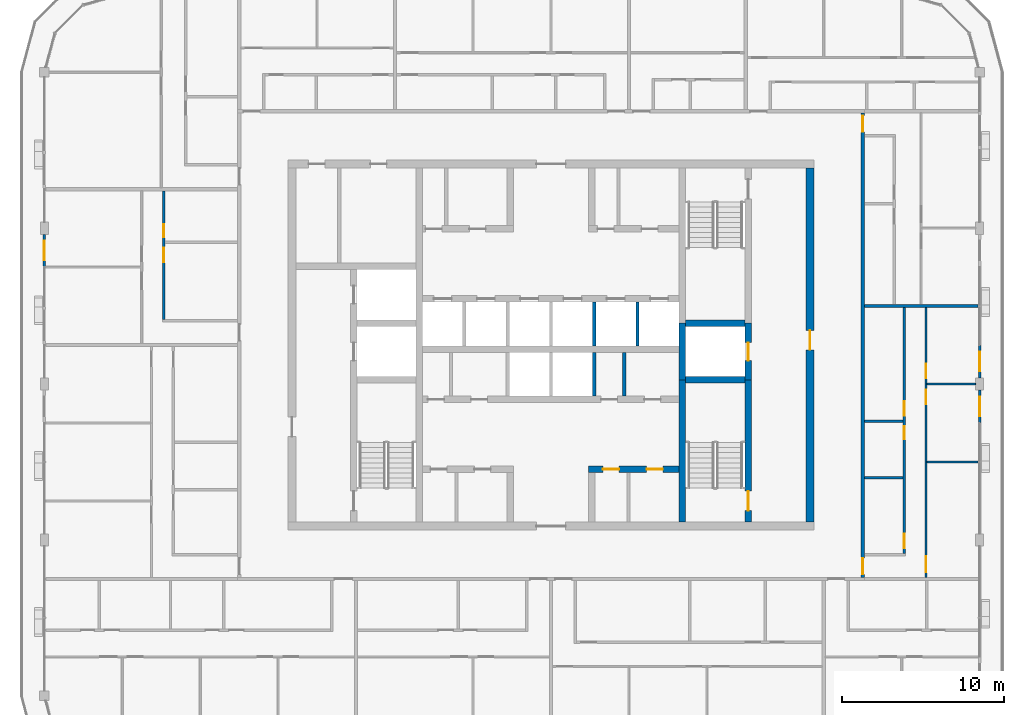
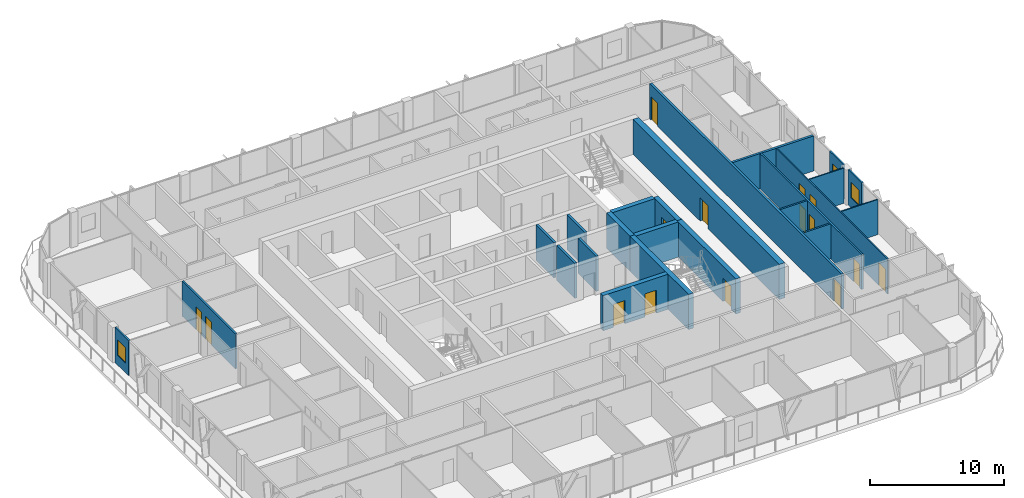
# One storey, part 12 of 21: 24 walls, 15 doors, 3 windows, 18 openings.
"""IFC4 building model written with IfcOpenShell, lengths in metres."""

from ifc_helpers import new_model, si_unit, direction, frame, frame_2d, origin, place, context, subcontext, project, spatial, rectangle, extrude, material, layer, layer_set, type_object, element, fill, save


model = new_model("IFC4")

# Units and contexts
model_context = context("Model", 3, precision=1e-05, world=origin(), true_north=direction((0.0, 1.0)))
body_context = subcontext(model_context, "Body", "Model", "MODEL_VIEW")
ifc_project = project(units=[si_unit("LENGTHUNIT", "METRE"), si_unit("AREAUNIT", "SQUARE_METRE"), si_unit("VOLUMEUNIT", "CUBIC_METRE"), si_unit("PLANEANGLEUNIT", "RADIAN"), si_unit("MASSUNIT", "GRAM", prefix="KILO")], contexts=[model_context])

# Site, building, storey
site_placement = place(None, origin())
site = spatial("IfcSite", under=ifc_project, at=site_placement, CompositionType="ELEMENT")
building_placement = place(site_placement, origin())
building = spatial("IfcBuilding", under=site, at=building_placement, Name="Madar Terraces", CompositionType="ELEMENT")
storey_placement = place(building_placement, frame((0.0, 0.0, 268.60009765625)))
storey = spatial("IfcBuildingStorey", under=building, at=storey_placement, Name="L70", CompositionType="ELEMENT", Elevation=268.60009765625)

# Walls
ifc_material_1 = material(Name="Concrete C50/60", Category="concrete")
ifc_layer_1 = layer(ifc_material_1, 0.39990234375)
ifc_layer_set_1 = layer_set([ifc_layer_1], Name="Concrete C50/60 (CIW6 RC wall 400)")
wall_type_1 = type_object("IfcWallType", Name="CIW6 RC wall 400", PredefinedType="SHEAR", material=ifc_layer_set_1)
wall_1_placement = place(storey_placement, frame((39.300048828125, 15.5, 0.0), z_axis=(0.0, 0.0, 1.0), x_axis=(0.0, 1.0, 0.0)))
element("IfcWall", 1, at=wall_1_placement, inside=storey, type_object=wall_type_1, Name="CORE SHAFT WALL", PredefinedType="SHEAR", context=body_context, shape_type="SweptSolid", body=[
    extrude(rectangle(XDim=8.75, YDim=0.39990234375, at=frame_2d((4.375, 0.0))), origin(), (0.0, 0.0, 1.0), 3.199951171875),
])
wall_2_placement = place(storey_placement, frame((39.300048828125, 24.25, 0.0), z_axis=(0.0, 0.0, 1.0), x_axis=(0.0, 1.0, 0.0)))
element("IfcWall", 2, at=wall_2_placement, inside=storey, type_object=wall_type_1, Name="CORE SHAFT WALL", PredefinedType="SHEAR", context=body_context, shape_type="SweptSolid", body=[
    extrude(rectangle(XDim=3.5, YDim=0.39990234375, at=frame_2d((1.75, 0.0))), origin(), (0.0, 0.0, 1.0), 3.199951171875),
])

# Wall, opening, door
wall_3_placement = place(storey_placement, frame((43.35009765625, 15.5, 0.0), z_axis=(0.0, 0.0, 1.0), x_axis=(0.0, 1.0, 0.0)))
wall_3 = element("IfcWall", 3, at=wall_3_placement, inside=storey, type_object=wall_type_1, Name="CORE SHAFT WALL", PredefinedType="SHEAR", context=body_context, shape_type="SweptSolid", body=[
    extrude(rectangle(XDim=8.75, YDim=0.39990234375, at=frame_2d((4.375, 0.0))), origin(), (0.0, 0.0, 1.0), 3.199951171875),
])
opening_1_placement = place(wall_3_placement, frame((0.699951171875, 0.0, 0.0)))
opening_1 = element("IfcOpeningElement", 4, at=opening_1_placement, cuts=wall_3, Name="Opening SD1", PredefinedType="OPENING", context=body_context, shape_type="SweptSolid", body=[
    extrude(rectangle(XDim=1.199951171875, YDim=2.10009765625, at=frame_2d((0.60009765625, 1.050048828125))), frame((0.0, 0.2099609375, 0.0), z_axis=(0.0, -1.0, 0.0), x_axis=(1.0, 0.0, 0.0)), (0.0, 0.0, 1.0), 0.419921875),
])
ifc_material_2 = material(Name="Steel door leaf", Category="steel")
door_type_1 = type_object("IfcDoorType", Name="Stair door 1200 x 2100", OperationType="NOTDEFINED", PredefinedType="DOOR", material=ifc_material_2)
door_1_placement = place(opening_1_placement, origin())
door_1 = element("IfcDoor", 5, at=door_1_placement, inside=storey, type_object=door_type_1, Name="STAIR DOOR", OperationType="SINGLE_SWING_LEFT", OverallHeight=2.10009765625, OverallWidth=1.199951171875, PredefinedType="DOOR", context=body_context, shape_type="SweptSolid", body=[
    extrude(rectangle(XDim=1.199951171875, YDim=2.10009765625, at=frame_2d((0.60009765625, 1.050048828125))), frame((0.0, 0.02490234375, 0.0), z_axis=(0.0, -1.0, 0.0), x_axis=(1.0, 0.0, 0.0)), (0.0, 0.0, 1.0), 0.050048828125),
])
fill(opening_1, door_1)

wall_4_placement = place(storey_placement, frame((43.35009765625, 24.25, 0.0), z_axis=(0.0, 0.0, 1.0), x_axis=(0.0, 1.0, 0.0)))
wall_4 = element("IfcWall", 6, at=wall_4_placement, inside=storey, type_object=wall_type_1, Name="CORE SHAFT WALL", PredefinedType="SHEAR", context=body_context, shape_type="SweptSolid", body=[
    extrude(rectangle(XDim=3.5, YDim=0.39990234375, at=frame_2d((1.75, 0.0))), origin(), (0.0, 0.0, 1.0), 3.199951171875),
])
opening_2_placement = place(wall_4_placement, frame((1.199951171875, 0.0, 0.0)))
opening_2 = element("IfcOpeningElement", 7, at=opening_2_placement, cuts=wall_4, Name="Opening LD", PredefinedType="OPENING", context=body_context, shape_type="SweptSolid", body=[
    extrude(rectangle(XDim=1.10009765625, YDim=2.10009765625, at=frame_2d((0.550048828125, 1.050048828125))), frame((0.0, 0.2099609375, 0.0), z_axis=(0.0, -1.0, 0.0), x_axis=(1.0, 0.0, 0.0)), (0.0, 0.0, 1.0), 0.419921875),
])
ifc_material_3 = material(Name="Stainless steel panel", Category="steel")
door_type_2 = type_object("IfcDoorType", Name="Lift landing door 1100 x 2100", OperationType="DOUBLE_DOOR_SLIDING", PredefinedType="DOOR", material=ifc_material_3)
door_2_placement = place(opening_2_placement, origin())
door_2 = element("IfcDoor", 8, at=door_2_placement, inside=storey, type_object=door_type_2, Name="LIFT LANDING DOOR", OperationType="DOUBLE_DOOR_SLIDING", OverallHeight=2.10009765625, OverallWidth=1.10009765625, PredefinedType="DOOR", context=body_context, shape_type="SweptSolid", body=[
    extrude(rectangle(XDim=1.10009765625, YDim=2.10009765625, at=frame_2d((0.550048828125, 1.050048828125))), frame((0.0, 0.02490234375, 0.0), z_axis=(0.0, -1.0, 0.0), x_axis=(1.0, 0.0, 0.0)), (0.0, 0.0, 1.0), 0.050048828125),
])
fill(opening_2, door_2)

# Walls
for number, where, z_axis, x_axis, name in (
    (9, (39.5, 24.25, 0.0), (0.0, 0.0, 1.0), (1.0, 0.0, 0.0), "CORE SHAFT WALL"),
    (10, (39.5, 27.75, 0.0), (0.0, 0.0, 1.0), (1.0, 0.0, 0.0), "CORE SHAFT WALL"),
):
    element("IfcWall", number, at=place(storey_placement, frame(where, z_axis=z_axis, x_axis=x_axis)), inside=storey, type_object=wall_type_1, Name=name, PredefinedType="SHEAR", context=body_context, shape_type="SweptSolid", body=[
        extrude(rectangle(XDim=3.64990234375, YDim=0.39990234375, at=frame_2d((1.824951171875, 0.0))), origin(), (0.0, 0.0, 1.0), 3.199951171875),
    ])

# Wall, openings, doors
wall_5_placement = place(storey_placement, frame((33.5, 18.75, 0.0), z_axis=(0.0, 0.0, 1.0), x_axis=(1.0, 0.0, 0.0)))
wall_5 = element("IfcWall", 11, at=wall_5_placement, inside=storey, type_object=wall_type_1, Name="CORE SHAFT WALL", PredefinedType="SHEAR", context=body_context, shape_type="SweptSolid", body=[
    extrude(rectangle(XDim=5.60009765625, YDim=0.39990234375, at=frame_2d((2.800048828125, 0.0))), origin(), (0.0, 0.0, 1.0), 3.199951171875),
])
opening_3_placement = place(wall_5_placement, frame((0.889892578125, 0.0, 0.0)))
opening_3 = element("IfcOpeningElement", 12, at=opening_3_placement, cuts=wall_5, Name="Opening KD2", PredefinedType="OPENING", context=body_context, shape_type="SweptSolid", body=[
    extrude(rectangle(XDim=1.0, YDim=2.10009765625, at=frame_2d((0.5, 1.050048828125))), frame((0.0, 0.2099609375, 0.0), z_axis=(0.0, -1.0, 0.0), x_axis=(1.0, 0.0, 0.0)), (0.0, 0.0, 1.0), 0.419921875),
])
opening_4_placement = place(wall_5_placement, frame((3.590087890625, 0.0, 0.0)))
opening_4 = element("IfcOpeningElement", 13, at=opening_4_placement, cuts=wall_5, Name="Opening KD2", PredefinedType="OPENING", context=body_context, shape_type="SweptSolid", body=[
    extrude(rectangle(XDim=1.0, YDim=2.10009765625, at=frame_2d((0.5, 1.050048828125))), frame((0.0, 0.2099609375, 0.0), z_axis=(0.0, -1.0, 0.0), x_axis=(1.0, 0.0, 0.0)), (0.0, 0.0, 1.0), 0.419921875),
])
ifc_material_4 = material(Name="Steel door leaf", Category="steel")
door_type_3 = type_object("IfcDoorType", Name="Service room door 1000 x 2100", OperationType="NOTDEFINED", PredefinedType="DOOR", material=ifc_material_4)
door_3_placement = place(opening_3_placement, origin())
door_3 = element("IfcDoor", 14, at=door_3_placement, inside=storey, type_object=door_type_3, Name="SERVICE ROOM DOOR", OperationType="SINGLE_SWING_LEFT", OverallHeight=2.10009765625, OverallWidth=1.0, PredefinedType="DOOR", context=body_context, shape_type="SweptSolid", body=[
    extrude(rectangle(XDim=1.0, YDim=2.10009765625, at=frame_2d((0.5, 1.050048828125))), frame((0.0, 0.02490234375, 0.0), z_axis=(0.0, -1.0, 0.0), x_axis=(1.0, 0.0, 0.0)), (0.0, 0.0, 1.0), 0.050048828125),
])
fill(opening_3, door_3)
door_4_placement = place(opening_4_placement, origin())
door_4 = element("IfcDoor", 15, at=door_4_placement, inside=storey, type_object=door_type_3, Name="SERVICE ROOM DOOR", OperationType="SINGLE_SWING_RIGHT", OverallHeight=2.10009765625, OverallWidth=1.0, PredefinedType="DOOR", context=body_context, shape_type="SweptSolid", body=[
    extrude(rectangle(XDim=1.0, YDim=2.10009765625, at=frame_2d((0.5, 1.050048828125))), frame((0.0, 0.02490234375, 0.0), z_axis=(0.0, -1.0, 0.0), x_axis=(1.0, 0.0, 0.0)), (0.0, 0.0, 1.0), 0.050048828125),
])
fill(opening_4, door_4)

# Wall, opening, door
ifc_material_5 = material(Name="Concrete C50/60", Category="concrete")
ifc_layer_2 = layer(ifc_material_5, 0.5)
ifc_layer_set_2 = layer_set([ifc_layer_2], Name="Concrete C50/60 (CRW6 RC wall 500)")
wall_type_2 = type_object("IfcWallType", Name="CRW6 RC wall 500", PredefinedType="SHEAR", material=ifc_layer_set_2)
wall_6_placement = place(storey_placement, frame((47.14990234375, 15.5, 0.0), z_axis=(0.0, 0.0, 1.0), x_axis=(0.0, 1.0, 0.0)))
wall_6 = element("IfcWall", 16, at=wall_6_placement, inside=storey, type_object=wall_type_2, Name="CORE OUTER WALL", PredefinedType="SHEAR", context=body_context, shape_type="SweptSolid", body=[
    extrude(rectangle(XDim=21.800048828125, YDim=0.5, at=frame_2d((10.89990234375, 0.0))), origin(), (0.0, 0.0, 1.0), 3.199951171875),
])
opening_5_placement = place(wall_6_placement, frame((10.60009765625, 0.0, 0.0)))
opening_5 = element("IfcOpeningElement", 17, at=opening_5_placement, cuts=wall_6, Name="Opening SD1", PredefinedType="OPENING", context=body_context, shape_type="SweptSolid", body=[
    extrude(rectangle(XDim=1.199951171875, YDim=2.10009765625, at=frame_2d((0.60009765625, 1.050048828125))), frame((0.0, 0.260009765625, 0.0), z_axis=(0.0, -1.0, 0.0), x_axis=(1.0, 0.0, 0.0)), (0.0, 0.0, 1.0), 0.52001953125),
])
door_5_placement = place(opening_5_placement, origin())
door_5 = element("IfcDoor", 18, at=door_5_placement, inside=storey, type_object=door_type_1, Name="STAIR DOOR", OperationType="SINGLE_SWING_RIGHT", OverallHeight=2.10009765625, OverallWidth=1.199951171875, PredefinedType="DOOR", context=body_context, shape_type="SweptSolid", body=[
    extrude(rectangle(XDim=1.199951171875, YDim=2.10009765625, at=frame_2d((0.60009765625, 1.050048828125))), frame((0.0, 0.02490234375, 0.0), z_axis=(0.0, -1.0, 0.0), x_axis=(1.0, 0.0, 0.0)), (0.0, 0.0, 1.0), 0.050048828125),
])
fill(opening_5, door_5)

# Walls
ifc_material_6 = material(Name="Masonry blockwork", Category="masonry")
ifc_layer_3 = layer(ifc_material_6, 0.199951171875)
ifc_layer_set_3 = layer_set([ifc_layer_3], Name="Core partition 200 blockwork")
wall_type_3 = type_object("IfcWallType", Name="Core partition 200 blockwork", PredefinedType="PARTITIONING", material=ifc_layer_set_3)
wall_7_placement = place(storey_placement, frame((35.7119140625, 23.25, 0.0), z_axis=(0.0, 0.0, 1.0), x_axis=(0.0, 1.0, 0.0)))
element("IfcWall", 19, at=wall_7_placement, inside=storey, type_object=wall_type_3, Name="SERVICE ROOM PARTITION", PredefinedType="PARTITIONING", context=body_context, shape_type="SweptSolid", body=[
    extrude(rectangle(XDim=2.699951171875, YDim=0.199951171875, at=frame_2d((1.35009765625, 0.0))), origin(), (0.0, 0.0, 1.0), 3.199951171875),
])
ifc_material_7 = material(Name="Concrete C40/50", Category="concrete")
ifc_layer_4 = layer(ifc_material_7, 0.199951171875)
ifc_layer_set_4 = layer_set([ifc_layer_4], Name="Core shaft dividing wall 200 C40/50")
wall_type_4 = type_object("IfcWallType", Name="Core shaft dividing wall 200 C40/50", PredefinedType="SOLIDWALL", material=ifc_layer_set_4)
for number, where, z_axis, x_axis, name in (
    (20, (33.86669921875, 23.25, 0.0), (0.0, 0.0, 1.0), (0.0, 1.0, 0.0), "SHAFT DIVIDING WALL"),
    (21, (33.86669921875, 26.35009765625, 0.0), (0.0, 0.0, 1.0), (0.0, 1.0, 0.0), "SHAFT DIVIDING WALL"),
    (22, (36.533447265625, 26.35009765625, 0.0), (0.0, 0.0, 1.0), (0.0, 1.0, 0.0), "SHAFT DIVIDING WALL"),
):
    element("IfcWall", number, at=place(storey_placement, frame(where, z_axis=z_axis, x_axis=x_axis)), inside=storey, type_object=wall_type_4, Name=name, PredefinedType="SOLIDWALL", context=body_context, shape_type="SweptSolid", body=[
        extrude(rectangle(XDim=2.699951171875, YDim=0.199951171875, at=frame_2d((1.35009765625, 0.0))), origin(), (0.0, 0.0, 1.0), 3.199951171875),
    ])

# Wall, opening, window
ifc_material_8 = material(Name="Aluminium composite panel, black, over insulated backing", Category="aluminium")
ifc_layer_5 = layer(ifc_material_8, 0.14990234375)
ifc_layer_set_5 = layer_set([ifc_layer_5], Name="Facade bay panel 150")
wall_type_5 = type_object("IfcWallType", Name="Facade bay panel 150", PredefinedType="SOLIDWALL", material=ifc_layer_set_5)
wall_8_placement = place(storey_placement, frame((57.60009765625, 21.60009765625, 0.0), z_axis=(0.0, 0.0, 1.0), x_axis=(0.0, 1.0, 0.0)))
wall_8 = element("IfcWall", 23, at=wall_8_placement, inside=storey, type_object=wall_type_5, Name="Facade bay panel", PredefinedType="SOLIDWALL", context=body_context, shape_type="SweptSolid", body=[
    extrude(rectangle(XDim=2.02490234375, YDim=0.14990234375, at=frame_2d((1.012451171875, 0.0))), origin(), (0.0, 0.0, 1.0), 3.199951171875),
])
opening_6_placement = place(wall_8_placement, frame((0.41259765625, 0.0, 0.89990234375)))
opening_6 = element("IfcOpeningElement", 24, at=opening_6_placement, cuts=wall_8, Name="Opening W1", PredefinedType="OPENING", context=body_context, shape_type="SweptSolid", body=[
    extrude(rectangle(XDim=1.199951171875, YDim=1.39990234375, at=frame_2d((0.60009765625, 0.699951171875))), frame((0.0, 0.0849609375, 0.0), z_axis=(0.0, -1.0, 0.0), x_axis=(1.0, 0.0, 0.0)), (0.0, 0.0, 1.0), 0.169921875),
])
ifc_material_9 = material(Name="Glass, clear, with black aluminium frame", Category="aluminium")
window_type = type_object("IfcWindowType", Name="Vent window 1200 x 1400", PartitioningType="SINGLE_PANEL", PredefinedType="WINDOW", material=ifc_material_9)
window_1_placement = place(opening_6_placement, origin())
window_1 = element("IfcWindow", 25, at=window_1_placement, inside=storey, type_object=window_type, Name="Operable vent window", OverallHeight=1.39990234375, OverallWidth=1.199951171875, PartitioningType="SINGLE_PANEL", PredefinedType="WINDOW", context=body_context, shape_type="SweptSolid", body=[
    extrude(rectangle(XDim=1.199951171875, YDim=1.39990234375, at=frame_2d((0.60009765625, 0.699951171875))), frame((0.0, 0.030029296875, 0.0), z_axis=(0.0, -1.0, 0.0), x_axis=(1.0, 0.0, 0.0)), (0.0, 0.0, 1.0), 0.06005859375),
])
fill(opening_6, window_1)

wall_9_placement = place(storey_placement, frame((57.60009765625, 24.375, 0.0), z_axis=(0.0, 0.0, 1.0), x_axis=(0.0, 1.0, 0.0)))
wall_9 = element("IfcWall", 26, at=wall_9_placement, inside=storey, type_object=wall_type_5, Name="Facade bay panel", PredefinedType="SOLIDWALL", context=body_context, shape_type="SweptSolid", body=[
    extrude(rectangle(XDim=2.02490234375, YDim=0.14990234375, at=frame_2d((1.012451171875, 0.0))), origin(), (0.0, 0.0, 1.0), 3.199951171875),
])
opening_7_placement = place(wall_9_placement, frame((0.41259765625, 0.0, 0.89990234375)))
opening_7 = element("IfcOpeningElement", 27, at=opening_7_placement, cuts=wall_9, Name="Opening W1", PredefinedType="OPENING", context=body_context, shape_type="SweptSolid", body=[
    extrude(rectangle(XDim=1.199951171875, YDim=1.39990234375, at=frame_2d((0.60009765625, 0.699951171875))), frame((0.0, 0.0849609375, 0.0), z_axis=(0.0, -1.0, 0.0), x_axis=(1.0, 0.0, 0.0)), (0.0, 0.0, 1.0), 0.169921875),
])
window_2_placement = place(opening_7_placement, origin())
window_2 = element("IfcWindow", 28, at=window_2_placement, inside=storey, type_object=window_type, Name="Operable vent window", OverallHeight=1.39990234375, OverallWidth=1.199951171875, PartitioningType="SINGLE_PANEL", PredefinedType="WINDOW", context=body_context, shape_type="SweptSolid", body=[
    extrude(rectangle(XDim=1.199951171875, YDim=1.39990234375, at=frame_2d((0.60009765625, 0.699951171875))), frame((0.0, 0.030029296875, 0.0), z_axis=(0.0, -1.0, 0.0), x_axis=(1.0, 0.0, 0.0)), (0.0, 0.0, 1.0), 0.06005859375),
])
fill(opening_7, window_2)

wall_10_placement = place(storey_placement, frame((0.0, 33.22509765625, 0.0), z_axis=(0.0, 0.0, 1.0), x_axis=(0.0, -1.0, 0.0)))
wall_10 = element("IfcWall", 29, at=wall_10_placement, inside=storey, type_object=wall_type_5, Name="Facade bay panel", PredefinedType="SOLIDWALL", context=body_context, shape_type="SweptSolid", body=[
    extrude(rectangle(XDim=2.025146484375, YDim=0.14990234375, at=frame_2d((1.0126953125, 0.0))), origin(), (0.0, 0.0, 1.0), 3.199951171875),
])
opening_8_placement = place(wall_10_placement, frame((0.41259765625, 0.0, 0.89990234375)))
opening_8 = element("IfcOpeningElement", 30, at=opening_8_placement, cuts=wall_10, Name="Opening W1", PredefinedType="OPENING", context=body_context, shape_type="SweptSolid", body=[
    extrude(rectangle(XDim=1.199951171875, YDim=1.39990234375, at=frame_2d((0.60009765625, 0.699951171875))), frame((0.0, 0.0849609375, 0.0), z_axis=(0.0, -1.0, 0.0), x_axis=(1.0, 0.0, 0.0)), (0.0, 0.0, 1.0), 0.169921875),
])
window_3_placement = place(opening_8_placement, origin())
window_3 = element("IfcWindow", 31, at=window_3_placement, inside=storey, type_object=window_type, Name="Operable vent window", OverallHeight=1.39990234375, OverallWidth=1.199951171875, PartitioningType="SINGLE_PANEL", PredefinedType="WINDOW", context=body_context, shape_type="SweptSolid", body=[
    extrude(rectangle(XDim=1.199951171875, YDim=1.39990234375, at=frame_2d((0.60009765625, 0.699951171875))), frame((0.0, 0.030029296875, 0.0), z_axis=(0.0, -1.0, 0.0), x_axis=(1.0, 0.0, 0.0)), (0.0, 0.0, 1.0), 0.06005859375),
])
fill(opening_8, window_3)

# Walls
ifc_material_10 = material(Name="Gypsum board on steel studs", Category="steel")
ifc_layer_6 = layer(ifc_material_10, 0.10009765625)
ifc_layer_set_6 = layer_set([ifc_layer_6], Name="Flat partition 100")
wall_type_6 = type_object("IfcWallType", Name="Flat partition 100", PredefinedType="PARTITIONING", material=ifc_layer_set_6)
wall_11_placement = place(storey_placement, frame((54.35009765625, 19.199951171875, 0.0), z_axis=(0.0, 0.0, 1.0), x_axis=(1.0, 0.0, 0.0)))
element("IfcWall", 32, at=wall_11_placement, inside=storey, type_object=wall_type_6, Name="Flat partition 100", PredefinedType="PARTITIONING", context=body_context, shape_type="SweptSolid", body=[
    extrude(rectangle(XDim=3.14990234375, YDim=0.10009765625, at=frame_2d((1.574951171875, 0.0))), origin(), (0.0, 0.0, 1.0), 3.199951171875),
])
wall_12_placement = place(storey_placement, frame((54.35009765625, 24.0, 0.0), z_axis=(0.0, 0.0, 1.0), x_axis=(1.0, 0.0, 0.0)))
element("IfcWall", 33, at=wall_12_placement, inside=storey, type_object=wall_type_6, Name="Flat partition 100", PredefinedType="PARTITIONING", context=body_context, shape_type="SweptSolid", body=[
    extrude(rectangle(XDim=3.0, YDim=0.10009765625, at=frame_2d((1.5, 0.0))), origin(), (0.0, 0.0, 1.0), 3.199951171875),
])

# Wall, openings, doors
wall_13_placement = place(storey_placement, frame((54.300048828125, 28.699951171875, 0.0), z_axis=(0.0, 0.0, 1.0), x_axis=(0.0, -1.0, 0.0)))
wall_13 = element("IfcWall", 34, at=wall_13_placement, inside=storey, type_object=wall_type_6, Name="Flat partition 100", PredefinedType="PARTITIONING", context=body_context, shape_type="SweptSolid", body=[
    extrude(rectangle(XDim=16.599853515625, YDim=0.10009765625, at=frame_2d((8.2998046875, 0.0))), origin(), (0.0, 0.0, 1.0), 3.199951171875),
])
opening_9_placement = place(wall_13_placement, frame((15.300048828125, 0.0, 0.0)))
opening_9 = element("IfcOpeningElement", 35, at=opening_9_placement, cuts=wall_13, Name="Opening D3", PredefinedType="OPENING", context=body_context, shape_type="SweptSolid", body=[
    extrude(rectangle(XDim=1.0, YDim=2.10009765625, at=frame_2d((0.5, 1.050048828125))), frame((0.0, 0.06005859375, 0.0), z_axis=(0.0, -1.0, 0.0), x_axis=(1.0, 0.0, 0.0)), (0.0, 0.0, 1.0), 0.1201171875),
])
opening_10_placement = place(wall_13_placement, frame((5.050048828125, 0.0, 0.0)))
opening_10 = element("IfcOpeningElement", 36, at=opening_10_placement, cuts=wall_13, Name="Opening D2", PredefinedType="OPENING", context=body_context, shape_type="SweptSolid", body=[
    extrude(rectangle(XDim=0.89990234375, YDim=2.10009765625, at=frame_2d((0.449951171875, 1.050048828125))), frame((0.0, 0.06005859375, 0.0), z_axis=(0.0, -1.0, 0.0), x_axis=(1.0, 0.0, 0.0)), (0.0, 0.0, 1.0), 0.1201171875),
])
opening_11_placement = place(wall_13_placement, frame((3.449951171875, 0.0, 0.0)))
opening_11 = element("IfcOpeningElement", 37, at=opening_11_placement, cuts=wall_13, Name="Opening D2", PredefinedType="OPENING", context=body_context, shape_type="SweptSolid", body=[
    extrude(rectangle(XDim=0.89990234375, YDim=2.10009765625, at=frame_2d((0.449951171875, 1.050048828125))), frame((0.0, 0.06005859375, 0.0), z_axis=(0.0, -1.0, 0.0), x_axis=(1.0, 0.0, 0.0)), (0.0, 0.0, 1.0), 0.1201171875),
])
ifc_material_11 = material(Name="Timber door leaf", Category="wood")
door_type_4 = type_object("IfcDoorType", Name="Flat living room door 1000", OperationType="NOTDEFINED", PredefinedType="DOOR", material=ifc_material_11)
door_6_placement = place(opening_9_placement, origin())
door_6 = element("IfcDoor", 38, at=door_6_placement, inside=storey, type_object=door_type_4, Name="Flat living room door 1000", OperationType="SINGLE_SWING_RIGHT", OverallHeight=2.10009765625, OverallWidth=1.0, PredefinedType="DOOR", context=body_context, shape_type="SweptSolid", body=[
    extrude(rectangle(XDim=1.0, YDim=2.10009765625, at=frame_2d((0.5, 1.050048828125))), frame((0.0, 0.02490234375, 0.0), z_axis=(0.0, -1.0, 0.0), x_axis=(1.0, 0.0, 0.0)), (0.0, 0.0, 1.0), 0.050048828125),
])
fill(opening_9, door_6)
ifc_material_12 = material(Name="Timber door leaf", Category="wood")
door_type_5 = type_object("IfcDoorType", Name="Flat room door 900", OperationType="NOTDEFINED", PredefinedType="DOOR", material=ifc_material_12)
door_7_placement = place(opening_10_placement, origin())
door_7 = element("IfcDoor", 39, at=door_7_placement, inside=storey, type_object=door_type_5, Name="Flat room door 900", OperationType="SINGLE_SWING_LEFT", OverallHeight=2.10009765625, OverallWidth=0.89990234375, PredefinedType="DOOR", context=body_context, shape_type="SweptSolid", body=[
    extrude(rectangle(XDim=0.89990234375, YDim=2.10009765625, at=frame_2d((0.449951171875, 1.050048828125))), frame((0.0, 0.02490234375, 0.0), z_axis=(0.0, -1.0, 0.0), x_axis=(1.0, 0.0, 0.0)), (0.0, 0.0, 1.0), 0.050048828125),
])
fill(opening_10, door_7)
door_8_placement = place(opening_11_placement, origin())
door_8 = element("IfcDoor", 40, at=door_8_placement, inside=storey, type_object=door_type_5, Name="Flat room door 900", OperationType="SINGLE_SWING_RIGHT", OverallHeight=2.10009765625, OverallWidth=0.89990234375, PredefinedType="DOOR", context=body_context, shape_type="SweptSolid", body=[
    extrude(rectangle(XDim=0.89990234375, YDim=2.10009765625, at=frame_2d((0.449951171875, 1.050048828125))), frame((0.0, 0.02490234375, 0.0), z_axis=(0.0, -1.0, 0.0), x_axis=(1.0, 0.0, 0.0)), (0.0, 0.0, 1.0), 0.050048828125),
])
fill(opening_11, door_8)

ifc_material_13 = material(Name="Lightweight blockwork", Category="masonry")
ifc_layer_7 = layer(ifc_material_13, 0.199951171875)
ifc_layer_set_7 = layer_set([ifc_layer_7], Name="Flat party and entrance wall 200")
wall_type_7 = type_object("IfcWallType", Name="Flat party and entrance wall 200", PredefinedType="PARTITIONING", material=ifc_layer_set_7)
wall_14_placement = place(storey_placement, frame((50.39990234375, 40.699951171875, 0.0), z_axis=(0.0, 0.0, 1.0), x_axis=(0.0, -1.0, 0.0)))
wall_14 = element("IfcWall", 41, at=wall_14_placement, inside=storey, type_object=wall_type_7, Name="Flat party and entrance wall 200", PredefinedType="PARTITIONING", context=body_context, shape_type="SweptSolid", body=[
    extrude(rectangle(XDim=28.599853515625, YDim=0.199951171875, at=frame_2d((14.2998046875, 0.0))), origin(), (0.0, 0.0, 1.0), 3.199951171875),
])
opening_12_placement = place(wall_14_placement, frame((27.425048828125, 0.0, 0.0)))
opening_12 = element("IfcOpeningElement", 42, at=opening_12_placement, cuts=wall_14, Name="Opening D1", PredefinedType="OPENING", context=body_context, shape_type="SweptSolid", body=[
    extrude(rectangle(XDim=1.0, YDim=2.10009765625, at=frame_2d((0.5, 1.050048828125))), frame((0.0, 0.10986328125, 0.0), z_axis=(0.0, -1.0, 0.0), x_axis=(1.0, 0.0, 0.0)), (0.0, 0.0, 1.0), 0.219970703125),
])
opening_13_placement = place(wall_14_placement, frame((0.175048828125, 0.0, 0.0)))
opening_13 = element("IfcOpeningElement", 43, at=opening_13_placement, cuts=wall_14, Name="Opening D1", PredefinedType="OPENING", context=body_context, shape_type="SweptSolid", body=[
    extrude(rectangle(XDim=1.0, YDim=2.10009765625, at=frame_2d((0.5, 1.050048828125))), frame((0.0, 0.10986328125, 0.0), z_axis=(0.0, -1.0, 0.0), x_axis=(1.0, 0.0, 0.0)), (0.0, 0.0, 1.0), 0.219970703125),
])
ifc_material_14 = material(Name="Timber fire door leaf", Category="wood")
door_type_6 = type_object("IfcDoorType", Name="Flat entrance door 1000 FD30S", OperationType="NOTDEFINED", PredefinedType="DOOR", material=ifc_material_14)
door_9_placement = place(opening_12_placement, origin())
door_9 = element("IfcDoor", 44, at=door_9_placement, inside=storey, type_object=door_type_6, Name="Flat entrance door 1000 FD30S", OperationType="SINGLE_SWING_RIGHT", OverallHeight=2.10009765625, OverallWidth=1.0, PredefinedType="DOOR", context=body_context, shape_type="SweptSolid", body=[
    extrude(rectangle(XDim=1.0, YDim=2.10009765625, at=frame_2d((0.5, 1.050048828125))), frame((0.0, 0.02490234375, 0.0), z_axis=(0.0, -1.0, 0.0), x_axis=(1.0, 0.0, 0.0)), (0.0, 0.0, 1.0), 0.050048828125),
])
fill(opening_12, door_9)
door_10_placement = place(opening_13_placement, origin())
door_10 = element("IfcDoor", 45, at=door_10_placement, inside=storey, type_object=door_type_6, Name="Flat entrance door 1000 FD30S", OperationType="SINGLE_SWING_LEFT", OverallHeight=2.10009765625, OverallWidth=1.0, PredefinedType="DOOR", context=body_context, shape_type="SweptSolid", body=[
    extrude(rectangle(XDim=1.0, YDim=2.10009765625, at=frame_2d((0.5, 1.050048828125))), frame((0.0, 0.02490234375, 0.0), z_axis=(0.0, -1.0, 0.0), x_axis=(1.0, 0.0, 0.0)), (0.0, 0.0, 1.0), 0.050048828125),
])
fill(opening_13, door_10)

# Walls
wall_15_placement = place(storey_placement, frame((50.5, 28.800048828125, 0.0), z_axis=(0.0, 0.0, 1.0), x_axis=(1.0, 0.0, 0.0)))
element("IfcWall", 46, at=wall_15_placement, inside=storey, type_object=wall_type_7, Name="Flat party and entrance wall 200", PredefinedType="PARTITIONING", context=body_context, shape_type="SweptSolid", body=[
    extrude(rectangle(XDim=7.0, YDim=0.199951171875, at=frame_2d((3.5, 0.0))), origin(), (0.0, 0.0, 1.0), 3.199951171875),
])
ifc_material_15 = material(Name="Lightweight blockwork", Category="masonry")
ifc_layer_8 = layer(ifc_material_15, 0.14990234375)
ifc_layer_set_8 = layer_set([ifc_layer_8], Name="Flat wet-room partition 150")
wall_type_8 = type_object("IfcWallType", Name="Flat wet-room partition 150", PredefinedType="PARTITIONING", material=ifc_layer_set_8)
for number, where, z_axis, x_axis, name in (
    (47, (50.5, 18.228759765625, 0.0), (0.0, 0.0, 1.0), (1.0, 0.0, 0.0), "Flat wet-room partition 150"),
    (48, (50.5, 21.71923828125, 0.0), (0.0, 0.0, 1.0), (1.0, 0.0, 0.0), "Flat wet-room partition 150"),
):
    element("IfcWall", number, at=place(storey_placement, frame(where, z_axis=z_axis, x_axis=x_axis)), inside=storey, type_object=wall_type_8, Name=name, PredefinedType="PARTITIONING", context=body_context, shape_type="SweptSolid", body=[
        extrude(rectangle(XDim=2.375, YDim=0.14990234375, at=frame_2d((1.1875, 0.0))), origin(), (0.0, 0.0, 1.0), 3.199951171875),
    ])

# Wall, openings, doors
wall_16_placement = place(storey_placement, frame((52.949951171875, 13.574951171875, 0.0), z_axis=(0.0, 0.0, 1.0), x_axis=(0.0, 1.0, 0.0)))
wall_16 = element("IfcWall", 49, at=wall_16_placement, inside=storey, type_object=wall_type_8, Name="Flat wet-room partition 150", PredefinedType="PARTITIONING", context=body_context, shape_type="SweptSolid", body=[
    extrude(rectangle(XDim=15.125, YDim=0.14990234375, at=frame_2d((7.5625, 0.0))), origin(), (0.0, 0.0, 1.0), 3.199951171875),
])
opening_14_placement = place(wall_16_placement, frame((0.300048828125, 0.0, 0.0)))
opening_14 = element("IfcOpeningElement", 50, at=opening_14_placement, cuts=wall_16, Name="Opening D5", PredefinedType="OPENING", context=body_context, shape_type="SweptSolid", body=[
    extrude(rectangle(XDim=0.89990234375, YDim=2.10009765625, at=frame_2d((0.449951171875, 1.050048828125))), frame((0.0, 0.0849609375, 0.0), z_axis=(0.0, -1.0, 0.0), x_axis=(1.0, 0.0, 0.0)), (0.0, 0.0, 1.0), 0.169921875),
])
opening_15_placement = place(wall_16_placement, frame((7.019287109375, 0.0, 0.0)))
opening_15 = element("IfcOpeningElement", 51, at=opening_15_placement, cuts=wall_16, Name="Opening D4", PredefinedType="OPENING", context=body_context, shape_type="SweptSolid", body=[
    extrude(rectangle(XDim=0.800048828125, YDim=2.10009765625, at=frame_2d((0.39990234375, 1.050048828125))), frame((0.0, 0.0849609375, 0.0), z_axis=(0.0, -1.0, 0.0), x_axis=(1.0, 0.0, 0.0)), (0.0, 0.0, 1.0), 0.169921875),
])
opening_16_placement = place(wall_16_placement, frame((8.46923828125, 0.0, 0.0)))
opening_16 = element("IfcOpeningElement", 52, at=opening_16_placement, cuts=wall_16, Name="Opening D2", PredefinedType="OPENING", context=body_context, shape_type="SweptSolid", body=[
    extrude(rectangle(XDim=0.89990234375, YDim=2.10009765625, at=frame_2d((0.449951171875, 1.050048828125))), frame((0.0, 0.0849609375, 0.0), z_axis=(0.0, -1.0, 0.0), x_axis=(1.0, 0.0, 0.0)), (0.0, 0.0, 1.0), 0.169921875),
])
ifc_material_16 = material(Name="Timber door leaf", Category="wood")
door_type_7 = type_object("IfcDoorType", Name="Flat accessible bathroom door 900", OperationType="NOTDEFINED", PredefinedType="DOOR", material=ifc_material_16)
door_11_placement = place(opening_14_placement, origin())
door_11 = element("IfcDoor", 53, at=door_11_placement, inside=storey, type_object=door_type_7, Name="Flat accessible bathroom door 900", OperationType="SINGLE_SWING_LEFT", OverallHeight=2.10009765625, OverallWidth=0.89990234375, PredefinedType="DOOR", context=body_context, shape_type="SweptSolid", body=[
    extrude(rectangle(XDim=0.89990234375, YDim=2.10009765625, at=frame_2d((0.449951171875, 1.050048828125))), frame((0.0, 0.02490234375, 0.0), z_axis=(0.0, -1.0, 0.0), x_axis=(1.0, 0.0, 0.0)), (0.0, 0.0, 1.0), 0.050048828125),
])
fill(opening_14, door_11)
ifc_material_17 = material(Name="Timber door leaf", Category="wood")
door_type_8 = type_object("IfcDoorType", Name="Flat bathroom door 800", OperationType="NOTDEFINED", PredefinedType="DOOR", material=ifc_material_17)
door_12_placement = place(opening_15_placement, origin())
door_12 = element("IfcDoor", 54, at=door_12_placement, inside=storey, type_object=door_type_8, Name="Flat bathroom door 800", OperationType="SINGLE_SWING_RIGHT", OverallHeight=2.10009765625, OverallWidth=0.800048828125, PredefinedType="DOOR", context=body_context, shape_type="SweptSolid", body=[
    extrude(rectangle(XDim=0.800048828125, YDim=2.10009765625, at=frame_2d((0.39990234375, 1.050048828125))), frame((0.0, 0.02490234375, 0.0), z_axis=(0.0, -1.0, 0.0), x_axis=(1.0, 0.0, 0.0)), (0.0, 0.0, 1.0), 0.050048828125),
])
fill(opening_15, door_12)
door_13_placement = place(opening_16_placement, origin())
door_13 = element("IfcDoor", 55, at=door_13_placement, inside=storey, type_object=door_type_5, Name="Flat room door 900", OperationType="SINGLE_SWING_LEFT", OverallHeight=2.10009765625, OverallWidth=0.89990234375, PredefinedType="DOOR", context=body_context, shape_type="SweptSolid", body=[
    extrude(rectangle(XDim=0.89990234375, YDim=2.10009765625, at=frame_2d((0.449951171875, 1.050048828125))), frame((0.0, 0.02490234375, 0.0), z_axis=(0.0, -1.0, 0.0), x_axis=(1.0, 0.0, 0.0)), (0.0, 0.0, 1.0), 0.050048828125),
])
fill(opening_16, door_13)

wall_17_placement = place(storey_placement, frame((7.35009765625, 35.89990234375, 0.0), z_axis=(0.0, 0.0, 1.0), x_axis=(0.0, -1.0, 0.0)))
wall_17 = element("IfcWall", 56, at=wall_17_placement, inside=storey, type_object=wall_type_8, Name="Flat wet-room partition 150", PredefinedType="PARTITIONING", context=body_context, shape_type="SweptSolid", body=[
    extrude(rectangle(XDim=7.9248046875, YDim=0.14990234375, at=frame_2d((3.96240234375, 0.0))), origin(), (0.0, 0.0, 1.0), 3.199951171875),
])
opening_17_placement = place(wall_17_placement, frame((3.4951171875, 0.0, 0.0)))
opening_17 = element("IfcOpeningElement", 57, at=opening_17_placement, cuts=wall_17, Name="Opening D2", PredefinedType="OPENING", context=body_context, shape_type="SweptSolid", body=[
    extrude(rectangle(XDim=0.89990234375, YDim=2.10009765625, at=frame_2d((0.449951171875, 1.050048828125))), frame((0.0, 0.0849609375, 0.0), z_axis=(0.0, -1.0, 0.0), x_axis=(1.0, 0.0, 0.0)), (0.0, 0.0, 1.0), 0.169921875),
])
opening_18_placement = place(wall_17_placement, frame((2.044921875, 0.0, 0.0)))
opening_18 = element("IfcOpeningElement", 58, at=opening_18_placement, cuts=wall_17, Name="Opening D4", PredefinedType="OPENING", context=body_context, shape_type="SweptSolid", body=[
    extrude(rectangle(XDim=0.800048828125, YDim=2.10009765625, at=frame_2d((0.39990234375, 1.050048828125))), frame((0.0, 0.0849609375, 0.0), z_axis=(0.0, -1.0, 0.0), x_axis=(1.0, 0.0, 0.0)), (0.0, 0.0, 1.0), 0.169921875),
])
door_14_placement = place(opening_18_placement, origin())
door_14 = element("IfcDoor", 59, at=door_14_placement, inside=storey, type_object=door_type_8, Name="Flat bathroom door 800", OperationType="SINGLE_SWING_RIGHT", OverallHeight=2.10009765625, OverallWidth=0.800048828125, PredefinedType="DOOR", context=body_context, shape_type="SweptSolid", body=[
    extrude(rectangle(XDim=0.800048828125, YDim=2.10009765625, at=frame_2d((0.39990234375, 1.050048828125))), frame((0.0, 0.02490234375, 0.0), z_axis=(0.0, -1.0, 0.0), x_axis=(1.0, 0.0, 0.0)), (0.0, 0.0, 1.0), 0.050048828125),
])
fill(opening_18, door_14)
door_15_placement = place(opening_17_placement, origin())
door_15 = element("IfcDoor", 60, at=door_15_placement, inside=storey, type_object=door_type_5, Name="Flat room door 900", OperationType="SINGLE_SWING_LEFT", OverallHeight=2.10009765625, OverallWidth=0.89990234375, PredefinedType="DOOR", context=body_context, shape_type="SweptSolid", body=[
    extrude(rectangle(XDim=0.89990234375, YDim=2.10009765625, at=frame_2d((0.449951171875, 1.050048828125))), frame((0.0, 0.02490234375, 0.0), z_axis=(0.0, -1.0, 0.0), x_axis=(1.0, 0.0, 0.0)), (0.0, 0.0, 1.0), 0.050048828125),
])
fill(opening_17, door_15)

save(model, "model.ifc")
